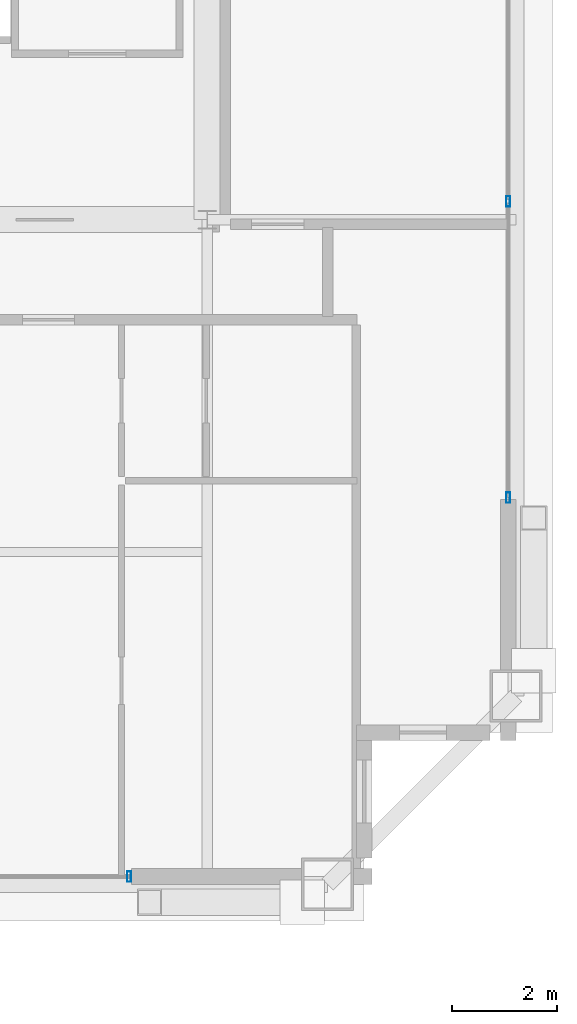
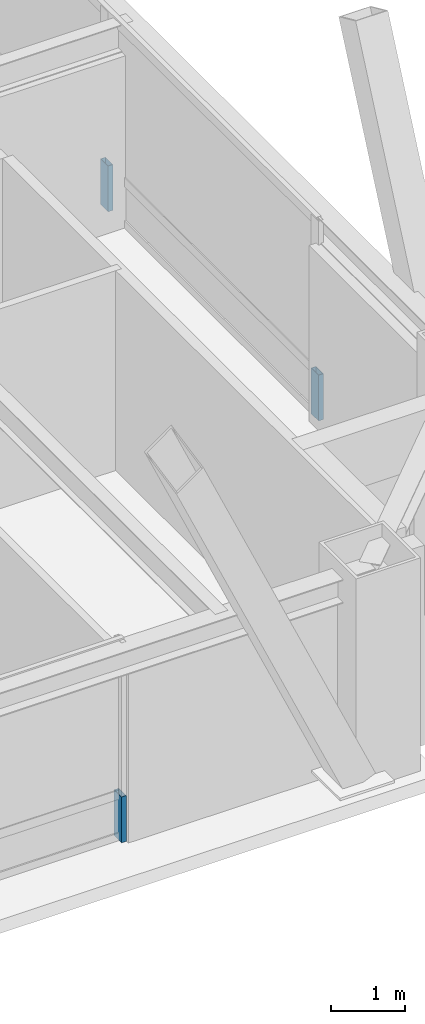
# One storey, part 22 of 33: 3 members, 2 elements without a shape of their own.
"""IFC4 building model written with IfcOpenShell, lengths in metres."""

from ifc_helpers import new_model, si_unit, direction, frame, origin, origin_2d, place, context, subcontext, project, spatial, hollow_rectangle, extrude, source, transform, mapped, material, layer, layer_set, material_profile, profile_set, type_object, element, aggregate, save


model = new_model("IFC4")

# Units and contexts
model_context = context("Model", 3, precision=1e-05, world=origin(), true_north=direction((0.0, 1.0)))
body_context = subcontext(model_context, "Body", "Model", "MODEL_VIEW")
ifc_project = project(units=[si_unit("LENGTHUNIT", "METRE"), si_unit("AREAUNIT", "SQUARE_METRE"), si_unit("VOLUMEUNIT", "CUBIC_METRE"), si_unit("PLANEANGLEUNIT", "RADIAN"), si_unit("MASSUNIT", "GRAM", prefix="KILO"), si_unit("THERMODYNAMICTEMPERATUREUNIT", "KELVIN"), si_unit("POWERUNIT", "WATT")], contexts=[model_context])

# Site, building, storey
site_placement = place(None, origin())
site = spatial("IfcSite", under=ifc_project, at=site_placement, CompositionType="ELEMENT")
building_placement = place(site_placement, origin())
building = spatial("IfcBuilding", under=site, at=building_placement, Name="Yuzanri Waterfront Tower", CompositionType="ELEMENT")
storey_placement = place(building_placement, frame((0.0, 0.0, 292.60009765625)))
storey = spatial("IfcBuildingStorey", under=building, at=storey_placement, Name="L78", CompositionType="ELEMENT", Elevation=292.60009765625)

# Curtain wall, member
ifc_material_1 = material(Name="Anodized Architectural Bronze", Category="metal")
ifc_layer = layer(ifc_material_1, 0.159912109375)
ifc_layer_set = layer_set([ifc_layer], Name="Anodized Architectural Bronze")
curtain_wall_type = type_object("IfcCurtainWallType", Name="Anodized Bronze High-Rise Penthouse High-Wind Unitized Curtain Wall 6900", PredefinedType="NOTDEFINED", material=ifc_layer_set)
curtain_wall_1_placement = place(storey_placement, origin())
curtain_wall_1 = element("IfcCurtainWall", 1, at=curtain_wall_1_placement, inside=storey, type_object=curtain_wall_type, Name="L78 Curtain Wall CW-L78-SR", PredefinedType="NOTDEFINED")
ifc_material_2 = material(Name="Anodized Architectural Bronze", Category="metal")
ifc_material_profile = material_profile(ifc_material_2, hollow_rectangle(XDim=0.074951171875, YDim=0.199951171875, WallThickness=0.00390625, at=origin_2d()), Name="CWM 75x200")
ifc_profile_set = profile_set([ifc_material_profile], Name="Anodized Architectural Bronze")
member_type = type_object("IfcMemberType", Name="Anodized Bronze Primary Curtain-Wall Mullion 75x200", PredefinedType="MULLION", material=ifc_profile_set)
shared_shape = source(origin(), body_context, "Body", "SweptSolid", [
    extrude(hollow_rectangle(XDim=0.074951171875, YDim=0.199951171875, WallThickness=0.00390625, at=origin_2d()), origin(), (0.0, 0.0, 1.0), 0.751953125),
])
member_1_placement = place(storey_placement, frame((48.7099609375, 6.85009765625, 0.0), z_axis=(0.0, 0.0, 1.0), x_axis=(1.0, 0.0, 0.0)))
member_1 = element("IfcMember", 2, at=member_1_placement, type_object=member_type, Name="CW-L78-SR Lower Mullion 02", PredefinedType="MULLION", context=body_context, shape_type="MappedRepresentation", body=[
    mapped(shared_shape, transform((0.0, 0.0, 0.0), scale=1.0)),
])
aggregate(curtain_wall_1, [member_1])

# Curtain wall, members
curtain_wall_2_placement = place(storey_placement, origin())
curtain_wall_2 = element("IfcCurtainWall", 3, at=curtain_wall_2_placement, inside=storey, type_object=curtain_wall_type, Name="L78 Curtain Wall CW-L78-EL", PredefinedType="NOTDEFINED")
member_2_placement = place(storey_placement, frame((55.949951171875, 14.090087890625, 0.0), z_axis=(0.0, 0.0, 1.0), x_axis=(1.0, 0.0, 0.0)))
member_2 = element("IfcMember", 4, at=member_2_placement, type_object=member_type, Name="CW-L78-EL Lower Mullion 00", PredefinedType="MULLION", context=body_context, shape_type="MappedRepresentation", body=[
    mapped(shared_shape, transform((0.0, 0.0, 0.0), scale=1.0)),
])
member_3_placement = place(storey_placement, frame((55.949951171875, 19.75, 0.0), z_axis=(0.0, 0.0, 1.0), x_axis=(1.0, 0.0, 0.0)))
member_3 = element("IfcMember", 5, at=member_3_placement, type_object=member_type, Name="CW-L78-EL Lower Mullion 01", PredefinedType="MULLION", context=body_context, shape_type="MappedRepresentation", body=[
    mapped(shared_shape, transform((0.0, 0.0, 0.0), scale=1.0)),
])
aggregate(curtain_wall_2, [member_2, member_3])

save(model, "model.ifc")
